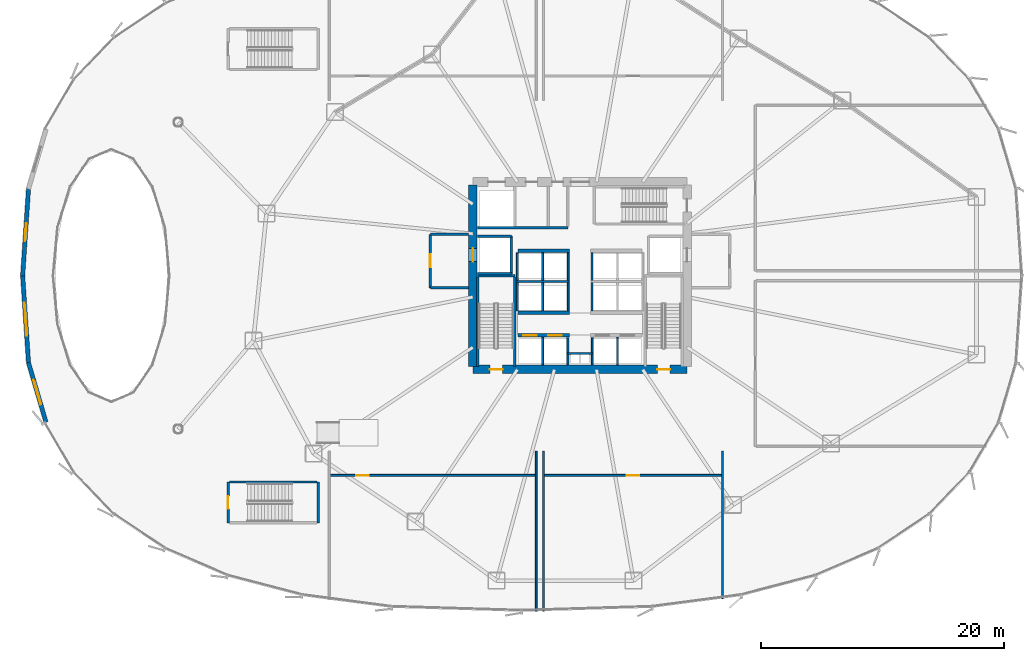
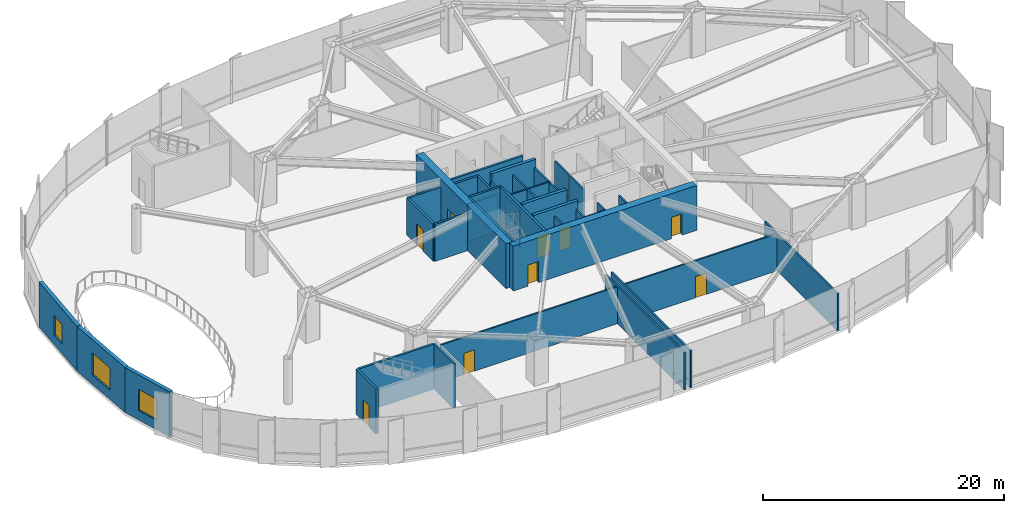
# One storey, part 24 of 34: 40 walls, 9 doors, 3 windows, 12 openings.
"""IFC4 building model written with IfcOpenShell, lengths in metres."""

import ifcopenshell
import ifcopenshell.guid

model = None  # the IFC model being written
_history = None  # IfcOwnerHistory: only IFC2X3 demands one
_inside = {}  # id of a spatial element -> (the spatial element, [elements in it])
_under = {}  # id of a project, library or spatial element -> (it, [spatial elements below it])
_declared = {}  # id of a project -> (the project, [libraries it declares])
_typed = {}  # id of a type object -> (the type object, [elements of that type])
_made_of = {}  # id of a material, layer set ... -> (it, [elements and type objects made of it])


def new_model(schema):
    """Start an empty IFC model of exactly this schema.

    Asked for "IFC4X3", IfcOpenShell would pick the latest addendum, in which some entities
    have other attributes; the version numbers below select the first issue.
    IFC2X3 requires an IfcOwnerHistory on every rooted entity: one is made here for all.
    """
    global model, _history
    if schema == "IFC4X3":
        model = ifcopenshell.file(schema_version=(4, 3, 0, 0))
    else:
        model = ifcopenshell.file(schema=schema)
    _inside.clear()
    _under.clear()
    _declared.clear()
    _typed.clear()
    _made_of.clear()
    _history = None
    if model.schema == "IFC2X3":
        org = make("IfcOrganization", Name="unknown")
        user = make(
            "IfcPersonAndOrganization",
            ThePerson=make("IfcPerson", FamilyName="unknown"),
            TheOrganization=org,
        )
        app = make(
            "IfcApplication",
            ApplicationDeveloper=org,
            Version="unknown",
            ApplicationFullName="unknown",
            ApplicationIdentifier="unknown",
        )
        _history = make(
            "IfcOwnerHistory",
            OwningUser=user,
            OwningApplication=app,
            ChangeAction="ADDED",
            CreationDate=0,
        )
    return model


def make(cls, **values):
    """One entity of the class cls with the attributes given. An attribute that is None is left unset."""
    return model.create_entity(
        cls, **{name: value for name, value in values.items() if value is not None}
    )


def rooted(cls, **values):
    """An entity with a GlobalId (a new one), such as an element, a storey or a relation."""
    return make(cls, GlobalId=ifcopenshell.guid.new(), OwnerHistory=_history, **values)


def si_unit(unit_type, name, prefix=None):
    """IfcSIUnit, for example si_unit("LENGTHUNIT", "METRE", prefix="MILLI")."""
    return make("IfcSIUnit", UnitType=unit_type, Prefix=prefix, Name=name)


def assignment(units):
    """IfcUnitAssignment: the units of a project."""
    return None if units is None else make("IfcUnitAssignment", Units=units)


def point(xyz):
    """IfcCartesianPoint."""
    return None if xyz is None else make("IfcCartesianPoint", Coordinates=xyz)


def direction(xyz):
    """IfcDirection."""
    return None if xyz is None else make("IfcDirection", DirectionRatios=xyz)


def frame(location, z_axis=None, x_axis=None):
    """IfcAxis2Placement3D, a coordinate frame: its origin and axes. An axis left out is left unset."""
    return make(
        "IfcAxis2Placement3D",
        Location=point(location),
        Axis=direction(z_axis),
        RefDirection=direction(x_axis),
    )


def frame_2d(location, x_axis=None):
    """IfcAxis2Placement2D, a coordinate frame in the plane: its origin and x axis."""
    return make(
        "IfcAxis2Placement2D", Location=point(location), RefDirection=direction(x_axis)
    )


def origin():
    """The frame at (0, 0, 0) with its axes left unset."""
    return frame((0.0, 0.0, 0.0))


def place(relative_to, where):
    """IfcLocalPlacement: puts the frame where relative to a parent placement (None: the world)."""
    return make(
        "IfcLocalPlacement", PlacementRelTo=relative_to, RelativePlacement=where
    )


def context(
    kind, dimensions, precision=None, world=None, true_north=None, identifier=None
):
    """IfcGeometricRepresentationContext, for example the 3D "Model" context."""
    return make(
        "IfcGeometricRepresentationContext",
        ContextIdentifier=identifier,
        ContextType=kind,
        CoordinateSpaceDimension=dimensions,
        Precision=precision,
        WorldCoordinateSystem=world,
        TrueNorth=true_north,
    )


def subcontext(parent, identifier, kind, view, scale=None):
    """IfcGeometricRepresentationSubContext, for example "Body" below "Model"."""
    return make(
        "IfcGeometricRepresentationSubContext",
        ContextIdentifier=identifier,
        ContextType=kind,
        ParentContext=parent,
        TargetScale=scale,
        TargetView=view,
    )


def project(units=None, contexts=None):
    """IfcProject with its units and contexts."""
    return rooted(
        "IfcProject",
        Name="project",
        RepresentationContexts=contexts,
        UnitsInContext=assignment(units),
    )


def spatial(cls, under=None, at=None, **own):
    """A site, building, storey or space (cls), placed at a placement, below another one or the project."""
    s = rooted(cls, ObjectPlacement=at, **own)
    if under is not None:
        _under.setdefault(under.id(), (under, []))[1].append(s)
    return s


def profile(cls, at=None, kind="AREA", **sizes):
    """A parametric profile (cls). Its sizes go by their IFC names, for example OverallWidth=200.0."""
    return make(cls, ProfileType=kind, Position=at, **sizes)


def rectangle(**sizes):
    """IfcRectangleProfileDef."""
    return profile("IfcRectangleProfileDef", **sizes)


def extrude(swept, where, along, depth):
    """IfcExtrudedAreaSolid: the profile swept, set in the frame where, extruded along a direction by depth."""
    return make(
        "IfcExtrudedAreaSolid",
        SweptArea=swept,
        Position=where,
        ExtrudedDirection=direction(along),
        Depth=depth,
    )


def shape(context_of_items, identifier, shape_type, items):
    """IfcShapeRepresentation: the items that make up one representation, for example the "Body"."""
    return make(
        "IfcShapeRepresentation",
        ContextOfItems=context_of_items,
        RepresentationIdentifier=identifier,
        RepresentationType=shape_type,
        Items=items,
    )


def source(mapping_origin, context_of_items, identifier, shape_type, items):
    """IfcRepresentationMap: a shape defined once, which mapped items show again and again."""
    return make(
        "IfcRepresentationMap",
        MappingOrigin=mapping_origin,
        MappedRepresentation=shape(context_of_items, identifier, shape_type, items),
    )


def transform(
    local_origin,
    x_axis=None,
    y_axis=None,
    z_axis=None,
    scale=None,
    scale2=None,
    scale3=None,
    uniform=True,
):
    """IfcCartesianTransformationOperator3D, or its non-uniform kind. x_axis, y_axis, z_axis: its Axis1, 2, 3."""
    if uniform:
        return make(
            "IfcCartesianTransformationOperator3D",
            Axis1=direction(x_axis),
            Axis2=direction(y_axis),
            LocalOrigin=point(local_origin),
            Scale=scale,
            Axis3=direction(z_axis),
        )
    return make(
        "IfcCartesianTransformationOperator3DnonUniform",
        Axis1=direction(x_axis),
        Axis2=direction(y_axis),
        LocalOrigin=point(local_origin),
        Scale=scale,
        Axis3=direction(z_axis),
        Scale2=scale2,
        Scale3=scale3,
    )


def mapped(mapping_source, mapping_target):
    """IfcMappedItem: shows the shape of a source again, moved by a transform."""
    return make(
        "IfcMappedItem", MappingSource=mapping_source, MappingTarget=mapping_target
    )


def material(Name=None, Category=None):
    """IfcMaterial."""
    return make("IfcMaterial", Name=Name, Category=Category)


def layer(
    of_material, thickness, ventilated=None, Name=None, Category=None, Priority=None
):
    """IfcMaterialLayer: one layer of a wall or slab, of a material (None: an air gap)."""
    return make(
        "IfcMaterialLayer",
        Material=of_material,
        LayerThickness=thickness,
        IsVentilated=ventilated,
        Name=Name,
        Category=Category,
        Priority=Priority,
    )


def layer_set(layers, Name=None):
    """IfcMaterialLayerSet."""
    return make("IfcMaterialLayerSet", MaterialLayers=layers, LayerSetName=Name)


def made_of(thing, what):
    """Note that an element or type object is made of a material, layer set ...; save() writes the relation."""
    if what is not None:
        _made_of.setdefault(what.id(), (what, []))[1].append(thing)
    return thing


def type_object(cls, material=None, **own):
    """A type object (cls), such as IfcWallType, which elements share."""
    return made_of(rooted(cls, **own), material)


def element(
    cls,
    number,
    at=None,
    inside=None,
    cuts=None,
    type_object=None,
    material=None,
    context=None,
    identifier="Body",
    shape_type=None,
    held_by="IfcProductDefinitionShape",
    body=None,
    shapes=None,
    **own,
):
    """One element of the class cls, such as IfcWall. Its Tag is "e" and its number.

    at: its placement. inside: the storey or other place that contains it. cuts: it is an
    opening in that element (IfcRelVoidsElement). A single representation is given by context,
    identifier, shape_type and body (its items); several are given by shapes. held_by: the class
    of the entity that holds the representations. save() writes the other relations.
    """
    e = rooted(cls, Tag="e%d" % number, ObjectPlacement=at, **own)
    if body is not None:
        shapes = [shape(context, identifier, shape_type, body)]
    if shapes is not None:
        e.Representation = make(held_by, Representations=shapes)
    if inside is not None:
        _inside.setdefault(inside.id(), (inside, []))[1].append(e)
    if cuts is not None:
        rooted(
            "IfcRelVoidsElement", RelatingBuildingElement=cuts, RelatedOpeningElement=e
        )
    if type_object is not None:
        _typed.setdefault(type_object.id(), (type_object, []))[1].append(e)
    return made_of(e, material)


def fill(opening, filler):
    """IfcRelFillsElement: the door or window that sits in an opening."""
    return rooted(
        "IfcRelFillsElement",
        RelatingOpeningElement=opening,
        RelatedBuildingElement=filler,
    )


def aggregate(whole, parts):
    """IfcRelAggregates: a whole, such as a stair, and the parts it consists of."""
    return rooted("IfcRelAggregates", RelatingObject=whole, RelatedObjects=parts)


def save(model, path):
    """Write the relations noted so far, then the file.

    IfcRelAggregates (storeys below a building ...), IfcRelContainedInSpatialStructure (elements
    in a storey), IfcRelDefinesByType, IfcRelAssociatesMaterial and IfcRelDeclares: one each for
    every whole, place, type object, material and project.
    """
    for whole, parts in _under.values():
        aggregate(whole, parts)
    for where, things in _inside.values():
        rooted(
            "IfcRelContainedInSpatialStructure",
            RelatedElements=things,
            RelatingStructure=where,
        )
    for kind, things in _typed.values():
        rooted("IfcRelDefinesByType", RelatedObjects=things, RelatingType=kind)
    for what, things in _made_of.values():
        rooted("IfcRelAssociatesMaterial", RelatedObjects=things, RelatingMaterial=what)
    for by, libraries in _declared.values():
        rooted("IfcRelDeclares", RelatingContext=by, RelatedDefinitions=libraries)
    model.write(path)


model = new_model("IFC4")

# Units and contexts
model_context = context("Model", 3, precision=1e-05, world=origin(), true_north=direction((0.0, 1.0)))
body_context = subcontext(model_context, "Body", "Model", "MODEL_VIEW")
ifc_project = project(units=[si_unit("LENGTHUNIT", "METRE"), si_unit("AREAUNIT", "SQUARE_METRE"), si_unit("VOLUMEUNIT", "CUBIC_METRE"), si_unit("PLANEANGLEUNIT", "RADIAN"), si_unit("MASSUNIT", "GRAM", prefix="KILO"), si_unit("THERMODYNAMICTEMPERATUREUNIT", "KELVIN")], contexts=[model_context])

# Site, building, storey
site_placement = place(None, origin())
site = spatial("IfcSite", under=ifc_project, at=site_placement, CompositionType="ELEMENT")
building_placement = place(site_placement, origin())
building = spatial("IfcBuilding", under=site, at=building_placement, Name="Kethvar Cultural Tower", CompositionType="ELEMENT")
storey_placement = place(building_placement, frame((0.0, 0.0, 5.199951171875)))
storey = spatial("IfcBuildingStorey", under=building, at=storey_placement, Name="L01", CompositionType="ELEMENT", Elevation=5.199951171875)

# Wall, openings, doors
ifc_material_1 = material(Name="Concrete C60/75", Category="concrete")
ifc_layer_1 = layer(ifc_material_1, 0.699951171875, Name="Concrete C60/75", Category="concrete")
ifc_layer_set_1 = layer_set([ifc_layer_1], Name="Concrete C60/75 (700 mm)")
wall_type_1 = type_object("IfcWallType", Name="WL-CORE-700", PredefinedType="SHEAR", material=ifc_layer_set_1)
wall_1_placement = place(storey_placement, frame((38.0, 20.10009765625, 0.0), z_axis=(0.0, 0.0, 1.0), x_axis=(1.0, 0.0, 0.0)))
wall_1 = element("IfcWall", 1, at=wall_1_placement, inside=storey, type_object=wall_type_1, Name="L01 Core Shear Wall S", PredefinedType="SHEAR", context=body_context, shape_type="SweptSolid", body=[
    extrude(rectangle(XDim=17.60009765625, YDim=0.699951171875, at=frame_2d((8.800048828125, 0.0))), origin(), (0.0, 0.0, 1.0), 4.550048828125),
])
opening_1_placement = place(wall_1_placement, frame((1.39990234375, 0.0, 0.0)))
opening_1 = element("IfcOpeningElement", 2, at=opening_1_placement, cuts=wall_1, Name="Opening D-L01-S1", PredefinedType="OPENING", context=body_context, shape_type="SweptSolid", body=[
    extrude(rectangle(XDim=1.050048828125, YDim=2.14990234375, at=frame_2d((0.52490234375, 1.074951171875))), frame((0.0, 0.35986328125, 0.0), z_axis=(0.0, -1.0, 0.0), x_axis=(1.0, 0.0, 0.0)), (0.0, 0.0, 1.0), 0.719970703125),
])
opening_2_placement = place(wall_1_placement, frame((15.14990234375, 0.0, 0.0)))
opening_2 = element("IfcOpeningElement", 3, at=opening_2_placement, cuts=wall_1, Name="Opening D-L01-ST2", PredefinedType="OPENING", context=body_context, shape_type="SweptSolid", body=[
    extrude(rectangle(XDim=1.050048828125, YDim=2.14990234375, at=frame_2d((0.52490234375, 1.074951171875))), frame((0.0, 0.35986328125, 0.0), z_axis=(0.0, -1.0, 0.0), x_axis=(1.0, 0.0, 0.0)), (0.0, 0.0, 1.0), 0.719970703125),
])
ifc_material_2 = material(Name="Steel S355J2", Category="steel")
door_type_1 = type_object("IfcDoorType", Name="DR-FD60-1050", OperationType="NOTDEFINED", PredefinedType="DOOR", material=ifc_material_2)
shared_shape_1 = source(origin(), body_context, "Body", "SweptSolid", [
    extrude(rectangle(XDim=1.050048828125, YDim=2.14990234375, at=frame_2d((0.52490234375, 1.074951171875))), frame((0.0, 0.02490234375, 0.0), z_axis=(0.0, -1.0, 0.0), x_axis=(1.0, 0.0, 0.0)), (0.0, 0.0, 1.0), 0.050048828125),
])
door_1_placement = place(opening_1_placement, origin())
door_1 = element("IfcDoor", 4, at=door_1_placement, inside=storey, type_object=door_type_1, Name="L01 Exit Stair 1 Door", OperationType="SINGLE_SWING_LEFT", OverallHeight=2.14990234375, OverallWidth=1.050048828125, PredefinedType="DOOR", context=body_context, shape_type="MappedRepresentation", body=[
    mapped(shared_shape_1, transform((0.0, 0.0, 0.0), scale=1.0)),
])
fill(opening_1, door_1)
door_2_placement = place(opening_2_placement, origin())
door_2 = element("IfcDoor", 5, at=door_2_placement, inside=storey, type_object=door_type_1, Name="L01 Exit Stair 2 Door", OperationType="SINGLE_SWING_RIGHT", OverallHeight=2.14990234375, OverallWidth=1.050048828125, PredefinedType="DOOR", context=body_context, shape_type="MappedRepresentation", body=[
    mapped(shared_shape_1, transform((0.0, 0.0, 0.0), scale=1.0)),
])
fill(opening_2, door_2)

# Wall, opening, door
wall_2_placement = place(storey_placement, frame((38.0, 35.260009765625, 0.0), z_axis=(0.0, 0.0, 1.0), x_axis=(0.0, -1.0, 0.0)))
wall_2 = element("IfcWall", 6, at=wall_2_placement, inside=storey, type_object=wall_type_1, Name="L01 Core Shear Wall W", PredefinedType="SHEAR", context=body_context, shape_type="SweptSolid", body=[
    extrude(rectangle(XDim=14.919921875, YDim=0.699951171875, at=frame_2d((7.4599609375, 0.0))), origin(), (0.0, 0.0, 1.0), 4.550048828125),
])
opening_3_placement = place(wall_2_placement, frame((5.2099609375, 0.0, 0.0)))
opening_3 = element("IfcOpeningElement", 7, at=opening_3_placement, cuts=wall_2, Name="Opening LD-1", PredefinedType="OPENING", context=body_context, shape_type="SweptSolid", body=[
    extrude(rectangle(XDim=1.10009765625, YDim=2.199951171875, at=frame_2d((0.550048828125, 1.10009765625))), frame((0.0, 0.35986328125, 0.0), z_axis=(0.0, -1.0, 0.0), x_axis=(1.0, 0.0, 0.0)), (0.0, 0.0, 1.0), 0.719970703125),
])
door_type_2 = type_object("IfcDoorType", Name="DR-LIFT-SLIDE-1100", OperationType="NOTDEFINED", PredefinedType="DOOR", material=ifc_material_2)
shared_shape_2 = source(origin(), body_context, "Body", "SweptSolid", [
    extrude(rectangle(XDim=1.10009765625, YDim=2.199951171875, at=frame_2d((0.550048828125, 1.10009765625))), frame((0.0, 0.02490234375, 0.0), z_axis=(0.0, -1.0, 0.0), x_axis=(1.0, 0.0, 0.0)), (0.0, 0.0, 1.0), 0.050048828125),
])
door_3_placement = place(opening_3_placement, origin())
door_3 = element("IfcDoor", 8, at=door_3_placement, inside=storey, type_object=door_type_2, Name="L01 Firefighting Lift Landing Door FFL-01", OperationType="SLIDING_TO_LEFT", OverallHeight=2.199951171875, OverallWidth=1.10009765625, PredefinedType="DOOR", context=body_context, shape_type="MappedRepresentation", body=[
    mapped(shared_shape_2, transform((0.0, 0.0, 0.0), scale=1.0)),
])
fill(opening_3, door_3)

# Wall, opening, window
ifc_material_3 = material(Name="Concrete C40/50", Category="concrete")
ifc_layer_2 = layer(ifc_material_3, 0.35009765625, Name="Concrete C40/50", Category="concrete")
ifc_layer_set_2 = layer_set([ifc_layer_2], Name="Concrete C40/50 (350 mm)")
wall_type_2 = type_object("IfcWallType", Name="WL-EXT-PORTAL-350", PredefinedType="SOLIDWALL", material=ifc_layer_set_2)
wall_3_placement = place(storey_placement, frame((1.01953125, 27.785400390625, 0.0), z_axis=(0.0, 0.0, 1.0), x_axis=(0.067018998283, 0.997751699507, 0.0)))
wall_3 = element("IfcWall", 9, at=wall_3_placement, inside=storey, type_object=wall_type_2, Name="L01 Exterior Portal Wall 18", PredefinedType="SOLIDWALL", context=body_context, shape_type="SweptSolid", body=[
    extrude(rectangle(XDim=7.194580078125, YDim=0.35009765625, at=frame_2d((3.59716796875, 0.0))), origin(), (0.0, 0.0, 1.0), 4.550048828125),
])
opening_4_placement = place(wall_3_placement, frame((2.847412109375, 0.0, 0.949951171875)))
opening_4 = element("IfcOpeningElement", 10, at=opening_4_placement, cuts=wall_3, Name="Opening W-03", PredefinedType="OPENING", context=body_context, shape_type="SweptSolid", body=[
    extrude(rectangle(XDim=1.5, YDim=2.0, at=frame_2d((0.75, 1.0))), frame((0.0, 0.18505859375, 0.0), z_axis=(0.0, -1.0, 0.0), x_axis=(1.0, 0.0, 0.0)), (0.0, 0.0, 1.0), 0.3701171875),
])
ifc_material_4 = material(Name="Insulated Low-E Solar Glass", Category="glass")
window_type_1 = type_object("IfcWindowType", Name="WN-POD-1500", PartitioningType="SINGLE_PANEL", PredefinedType="WINDOW", material=ifc_material_4)
shared_shape_3 = source(origin(), body_context, "Body", "SweptSolid", [
    extrude(rectangle(XDim=1.5, YDim=2.0, at=frame_2d((0.75, 1.0))), frame((0.0, 0.030029296875, 0.0), z_axis=(0.0, -1.0, 0.0), x_axis=(1.0, 0.0, 0.0)), (0.0, 0.0, 1.0), 0.06005859375),
])
window_1_placement = place(opening_4_placement, origin())
window_1 = element("IfcWindow", 11, at=window_1_placement, inside=storey, type_object=window_type_1, Name="L01 Podium Window C17", OverallHeight=2.0, OverallWidth=1.5, PartitioningType="SINGLE_PANEL", PredefinedType="WINDOW", context=body_context, shape_type="MappedRepresentation", body=[
    mapped(shared_shape_3, transform((0.0, 0.0, 0.0), scale=1.0)),
])
fill(opening_4, window_1)

wall_4_placement = place(storey_placement, frame((1.501708984375, 20.635986328125, 0.0), z_axis=(0.0, 0.0, 1.0), x_axis=(-0.067016729273, 0.997751851914, 0.0)))
wall_4 = element("IfcWall", 12, at=wall_4_placement, inside=storey, type_object=wall_type_2, Name="L01 Exterior Portal Wall 19", PredefinedType="SOLIDWALL", context=body_context, shape_type="SweptSolid", body=[
    extrude(rectangle(XDim=7.19482421875, YDim=0.35009765625, at=frame_2d((3.597412109375, 0.0))), origin(), (0.0, 0.0, 1.0), 4.550048828125),
])
opening_5_placement = place(wall_4_placement, frame((2.247314453125, 0.0, 0.949951171875)))
opening_5 = element("IfcOpeningElement", 13, at=opening_5_placement, cuts=wall_4, Name="Opening W-01", PredefinedType="OPENING", context=body_context, shape_type="SweptSolid", body=[
    extrude(rectangle(XDim=2.699951171875, YDim=2.25, at=frame_2d((1.35009765625, 1.125))), frame((0.0, 0.18505859375, 0.0), z_axis=(0.0, -1.0, 0.0), x_axis=(1.0, 0.0, 0.0)), (0.0, 0.0, 1.0), 0.3701171875),
])
window_type_2 = type_object("IfcWindowType", Name="WN-POD-2700", PartitioningType="SINGLE_PANEL", PredefinedType="WINDOW", material=ifc_material_4)
shared_shape_4 = source(origin(), body_context, "Body", "SweptSolid", [
    extrude(rectangle(XDim=2.699951171875, YDim=2.25, at=frame_2d((1.35009765625, 1.125))), frame((0.0, 0.030029296875, 0.0), z_axis=(0.0, -1.0, 0.0), x_axis=(1.0, 0.0, 0.0)), (0.0, 0.0, 1.0), 0.06005859375),
])
window_2_placement = place(opening_5_placement, origin())
window_2 = element("IfcWindow", 14, at=window_2_placement, inside=storey, type_object=window_type_2, Name="L01 Podium Window C18", OverallHeight=2.25, OverallWidth=2.699951171875, PartitioningType="SINGLE_PANEL", PredefinedType="WINDOW", context=body_context, shape_type="MappedRepresentation", body=[
    mapped(shared_shape_4, transform((0.0, 0.0, 0.0), scale=1.0)),
])
fill(opening_5, window_2)

wall_5_placement = place(storey_placement, frame((2.93603515625, 15.770263671875, 0.0), z_axis=(0.0, 0.0, 1.0), x_axis=(-0.281735210535, 0.959492194416, 0.0)))
wall_5 = element("IfcWall", 15, at=wall_5_placement, inside=storey, type_object=wall_type_2, Name="L01 Exterior Portal Wall 20", PredefinedType="SOLIDWALL", context=body_context, shape_type="SweptSolid", body=[
    extrude(rectangle(XDim=5.12060546875, YDim=0.35009765625, at=frame_2d((2.560302734375, 0.0))), origin(), (0.0, 0.0, 1.0), 4.550048828125),
])
opening_6_placement = place(wall_5_placement, frame((1.51025390625, 0.0, 0.949951171875)))
opening_6 = element("IfcOpeningElement", 16, at=opening_6_placement, cuts=wall_5, Name="Opening W-02", PredefinedType="OPENING", context=body_context, shape_type="SweptSolid", body=[
    extrude(rectangle(XDim=2.10009765625, YDim=2.14990234375, at=frame_2d((1.050048828125, 1.074951171875))), frame((0.0, 0.18505859375, 0.0), z_axis=(0.0, -1.0, 0.0), x_axis=(1.0, 0.0, 0.0)), (0.0, 0.0, 1.0), 0.3701171875),
])
window_type_3 = type_object("IfcWindowType", Name="WN-POD-2100", PartitioningType="SINGLE_PANEL", PredefinedType="WINDOW", material=ifc_material_4)
shared_shape_5 = source(origin(), body_context, "Body", "SweptSolid", [
    extrude(rectangle(XDim=2.10009765625, YDim=2.14990234375, at=frame_2d((1.050048828125, 1.074951171875))), frame((0.0, 0.030029296875, 0.0), z_axis=(0.0, -1.0, 0.0), x_axis=(1.0, 0.0, 0.0)), (0.0, 0.0, 1.0), 0.06005859375),
])
window_3_placement = place(opening_6_placement, origin())
window_3 = element("IfcWindow", 17, at=window_3_placement, inside=storey, type_object=window_type_3, Name="L01 Podium Window C19", OverallHeight=2.14990234375, OverallWidth=2.10009765625, PartitioningType="SINGLE_PANEL", PredefinedType="WINDOW", context=body_context, shape_type="MappedRepresentation", body=[
    mapped(shared_shape_5, transform((0.0, 0.0, 0.0), scale=1.0)),
])
fill(opening_6, window_3)

# Walls
ifc_material_5 = material(Name="Gypsum Fireboard Partition")
ifc_layer_3 = layer(ifc_material_5, 0.14990234375, Name="Gypsum Fireboard Partition")
ifc_layer_set_3 = layer_set([ifc_layer_3], Name="Gypsum Fireboard Partition (150 mm)")
wall_type_3 = type_object("IfcWallType", Name="WL-FIRE-150", PredefinedType="PARTITIONING", material=ifc_layer_set_3)
wall_6_placement = place(storey_placement, frame((45.800048828125, 21.419921875, 0.0), z_axis=(0.0, 0.0, 1.0), x_axis=(1.0, 0.0, 0.0)))
element("IfcWall", 18, at=wall_6_placement, inside=storey, type_object=wall_type_3, Name="L01 Core Riser Wall", PredefinedType="PARTITIONING", context=body_context, shape_type="SweptSolid", body=[
    extrude(rectangle(XDim=2.0, YDim=0.14990234375, at=frame_2d((1.0, 0.0))), origin(), (0.0, 0.0, 1.0), 3.762939453125),
])
for number, where, z_axis, x_axis, name in (
    (19, (45.800048828125, 20.47998046875, 0.0), (0.0, 0.0, 1.0), (0.0, 1.0, 0.0), "L01 Core Riser West Wall"),
    (20, (47.800048828125, 20.47998046875, 0.0), (0.0, 0.0, 1.0), (0.0, 1.0, 0.0), "L01 Core Riser East Wall"),
):
    element("IfcWall", number, at=place(storey_placement, frame(where, z_axis=z_axis, x_axis=x_axis)), inside=storey, type_object=wall_type_3, Name=name, PredefinedType="PARTITIONING", context=body_context, shape_type="SweptSolid", body=[
        extrude(rectangle(XDim=2.239990234375, YDim=0.14990234375, at=frame_2d((1.1201171875, 0.0))), origin(), (0.0, 0.0, 1.0), 3.762939453125),
    ])
for number, where, z_axis, x_axis, name in (
    (21, (43.72509765625, 20.4599609375, 0.0), (0.0, 0.0, 1.0), (0.0, 1.0, 0.0), "L01 Low-Rise Lift Shaft Divider W"),
    (22, (49.875, 20.4599609375, 0.0), (0.0, 0.0, 1.0), (0.0, 1.0, 0.0), "L01 Low-Rise Lift Shaft Divider E"),
):
    element("IfcWall", number, at=place(storey_placement, frame(where, z_axis=z_axis, x_axis=x_axis)), inside=storey, type_object=wall_type_3, Name=name, PredefinedType="PARTITIONING", context=body_context, shape_type="SweptSolid", body=[
        extrude(rectangle(XDim=2.27001953125, YDim=0.14990234375, at=frame_2d((1.135009765625, 0.0))), origin(), (0.0, 0.0, 1.0), 3.762939453125),
    ])
wall_7_placement = place(storey_placement, frame((41.580078125, 27.324951171875, 0.0), z_axis=(0.0, 0.0, 1.0), x_axis=(1.0, 0.0, 0.0)))
element("IfcWall", 23, at=wall_7_placement, inside=storey, type_object=wall_type_3, Name="L01 Mid-High Lift Shaft Back Wall W", PredefinedType="PARTITIONING", context=body_context, shape_type="SweptSolid", body=[
    extrude(rectangle(XDim=4.31982421875, YDim=0.14990234375, at=frame_2d((2.159912109375, 0.0))), origin(), (0.0, 0.0, 1.0), 3.762939453125),
])
for number, where, z_axis, x_axis, name in (
    (24, (41.64990234375, 24.919921875, 0.0), (0.0, 0.0, 1.0), (0.0, 1.0, 0.0), "L01 Mid-Rise Lift Shaft Outer Wall W"),
    (25, (43.72509765625, 24.919921875, 0.0), (0.0, 0.0, 1.0), (0.0, 1.0, 0.0), "L01 Mid-Rise Lift Shaft Divider W"),
    (26, (45.824951171875, 24.919921875, 0.0), (0.0, 0.0, 1.0), (0.0, 1.0, 0.0), "L01 Mid-Rise Lift Shaft Concourse Wall W"),
    (27, (47.77490234375, 24.919921875, 0.0), (0.0, 0.0, 1.0), (0.0, 1.0, 0.0), "L01 Mid-Rise Lift Shaft Concourse Wall E"),
):
    element("IfcWall", number, at=place(storey_placement, frame(where, z_axis=z_axis, x_axis=x_axis)), inside=storey, type_object=wall_type_3, Name=name, PredefinedType="PARTITIONING", context=body_context, shape_type="SweptSolid", body=[
        extrude(rectangle(XDim=2.320068359375, YDim=0.14990234375, at=frame_2d((1.16015625, 0.0))), origin(), (0.0, 0.0, 1.0), 3.762939453125),
    ])
for number, where, z_axis, x_axis, name in (
    (28, (41.64990234375, 27.409912109375, 0.0), (0.0, 0.0, 1.0), (0.0, 1.0, 0.0), "L01 High-Rise Lift Shaft Outer Wall W"),
    (29, (43.72509765625, 27.409912109375, 0.0), (0.0, 0.0, 1.0), (0.0, 1.0, 0.0), "L01 High-Rise Lift Shaft Divider W"),
    (30, (45.824951171875, 27.409912109375, 0.0), (0.0, 0.0, 1.0), (0.0, 1.0, 0.0), "L01 High-Rise Lift Shaft Concourse Wall W"),
    (31, (47.77490234375, 27.409912109375, 0.0), (0.0, 0.0, 1.0), (0.0, 1.0, 0.0), "L01 High-Rise Lift Shaft Concourse Wall E"),
):
    element("IfcWall", number, at=place(storey_placement, frame(where, z_axis=z_axis, x_axis=x_axis)), inside=storey, type_object=wall_type_3, Name=name, PredefinedType="PARTITIONING", context=body_context, shape_type="SweptSolid", body=[
        extrude(rectangle(XDim=2.27001953125, YDim=0.14990234375, at=frame_2d((1.135009765625, 0.0))), origin(), (0.0, 0.0, 1.0), 3.762939453125),
    ])

# Wall, opening, door
wall_8_placement = place(storey_placement, frame((26.199951171875, 11.39990234375, 0.0), z_axis=(0.0, 0.0, 1.0), x_axis=(1.0, 0.0, 0.0)))
wall_8 = element("IfcWall", 32, at=wall_8_placement, inside=storey, type_object=wall_type_3, Name="L01 South Contemporary Gallery Wall", PredefinedType="PARTITIONING", context=body_context, shape_type="SweptSolid", body=[
    extrude(rectangle(XDim=17.0, YDim=0.14990234375, at=frame_2d((8.5, 0.0))), origin(), (0.0, 0.0, 1.0), 3.762939453125),
])
opening_7_placement = place(wall_8_placement, frame((2.199951171875, 0.0, 0.0)))
opening_7 = element("IfcOpeningElement", 33, at=opening_7_placement, cuts=wall_8, Name="Opening D-L01-P1", PredefinedType="OPENING", context=body_context, shape_type="SweptSolid", body=[
    extrude(rectangle(XDim=1.050048828125, YDim=2.14990234375, at=frame_2d((0.52490234375, 1.074951171875))), frame((0.0, 0.0849609375, 0.0), z_axis=(0.0, -1.0, 0.0), x_axis=(1.0, 0.0, 0.0)), (0.0, 0.0, 1.0), 0.169921875),
])
door_4_placement = place(opening_7_placement, origin())
door_4 = element("IfcDoor", 34, at=door_4_placement, inside=storey, type_object=door_type_1, Name="L01 South Contemporary Gallery Door", OperationType="SINGLE_SWING_LEFT", OverallHeight=2.14990234375, OverallWidth=1.050048828125, PredefinedType="DOOR", context=body_context, shape_type="MappedRepresentation", body=[
    mapped(shared_shape_1, transform((0.0, 0.0, 0.0), scale=1.0)),
])
fill(opening_7, door_4)

wall_9_placement = place(storey_placement, frame((43.800048828125, 11.39990234375, 0.0), z_axis=(0.0, 0.0, 1.0), x_axis=(1.0, 0.0, 0.0)))
wall_9 = element("IfcWall", 35, at=wall_9_placement, inside=storey, type_object=wall_type_3, Name="L01 Southeast Sculpture Hall Wall", PredefinedType="PARTITIONING", context=body_context, shape_type="SweptSolid", body=[
    extrude(rectangle(XDim=14.699951171875, YDim=0.14990234375, at=frame_2d((7.35009765625, 0.0))), origin(), (0.0, 0.0, 1.0), 3.762939453125),
])
opening_8_placement = place(wall_9_placement, frame((6.824951171875, 0.0, 0.0)))
opening_8 = element("IfcOpeningElement", 36, at=opening_8_placement, cuts=wall_9, Name="Opening D-L01-P2", PredefinedType="OPENING", context=body_context, shape_type="SweptSolid", body=[
    extrude(rectangle(XDim=1.050048828125, YDim=2.14990234375, at=frame_2d((0.52490234375, 1.074951171875))), frame((0.0, 0.0849609375, 0.0), z_axis=(0.0, -1.0, 0.0), x_axis=(1.0, 0.0, 0.0)), (0.0, 0.0, 1.0), 0.169921875),
])
door_5_placement = place(opening_8_placement, origin())
door_5 = element("IfcDoor", 37, at=door_5_placement, inside=storey, type_object=door_type_1, Name="L01 Southeast Sculpture Hall Door", OperationType="SINGLE_SWING_LEFT", OverallHeight=2.14990234375, OverallWidth=1.050048828125, PredefinedType="DOOR", context=body_context, shape_type="MappedRepresentation", body=[
    mapped(shared_shape_1, transform((0.0, 0.0, 0.0), scale=1.0)),
])
fill(opening_8, door_5)

# Walls
ifc_layer_4 = layer(ifc_material_3, 0.199951171875, Name="Concrete C40/50", Category="concrete")
ifc_layer_set_4 = layer_set([ifc_layer_4], Name="Concrete C40/50 (200 mm)")
wall_type_4 = type_object("IfcWallType", Name="WL-FIRE-200", PredefinedType="PARTITIONING", material=ifc_layer_set_4)
wall_10_placement = place(storey_placement, frame((41.14990234375, 27.949951171875, 0.0), z_axis=(0.0, 0.0, 1.0), x_axis=(0.0, 1.0, 0.0)))
element("IfcWall", 38, at=wall_10_placement, inside=storey, type_object=wall_type_4, Name="L01 FFL-01 Shaft Inner Wall", PredefinedType="PARTITIONING", context=body_context, shape_type="SweptSolid", body=[
    extrude(rectangle(XDim=3.10009765625, YDim=0.199951171875, at=frame_2d((1.550048828125, 0.0))), origin(), (0.0, 0.0, 1.0), 3.762939453125),
])
for number, where, z_axis, x_axis, name in (
    (39, (38.360107421875, 27.949951171875, 0.0), (0.0, 0.0, 1.0), (1.0, 0.0, 0.0), "L01 FFL-01 Shaft South Wall"),
    (40, (38.360107421875, 31.050048828125, 0.0), (0.0, 0.0, 1.0), (1.0, 0.0, 0.0), "L01 FFL-01 Shaft North Wall"),
):
    element("IfcWall", number, at=place(storey_placement, frame(where, z_axis=z_axis, x_axis=x_axis)), inside=storey, type_object=wall_type_4, Name=name, PredefinedType="PARTITIONING", context=body_context, shape_type="SweptSolid", body=[
        extrude(rectangle(XDim=2.789794921875, YDim=0.199951171875, at=frame_2d((1.39501953125, 0.0))), origin(), (0.0, 0.0, 1.0), 3.762939453125),
    ])

# Wall, opening, door
wall_11_placement = place(storey_placement, frame((34.5, 31.199951171875, 0.0), z_axis=(0.0, 0.0, 1.0), x_axis=(0.0, -1.0, 0.0)))
wall_11 = element("IfcWall", 41, at=wall_11_placement, inside=storey, type_object=wall_type_4, Name="L01 Firefighting Lobby 1 Wall", PredefinedType="PARTITIONING", context=body_context, shape_type="SweptSolid", body=[
    extrude(rectangle(XDim=4.39990234375, YDim=0.199951171875, at=frame_2d((2.199951171875, 0.0))), origin(), (0.0, 0.0, 1.0), 3.762939453125),
])
opening_9_placement = place(wall_11_placement, frame((1.64990234375, 0.0, 0.0)))
opening_9 = element("IfcOpeningElement", 42, at=opening_9_placement, cuts=wall_11, Name="Opening D-L01-F1", PredefinedType="OPENING", context=body_context, shape_type="SweptSolid", body=[
    extrude(rectangle(XDim=1.050048828125, YDim=2.14990234375, at=frame_2d((0.52490234375, 1.074951171875))), frame((0.0, 0.10986328125, 0.0), z_axis=(0.0, -1.0, 0.0), x_axis=(1.0, 0.0, 0.0)), (0.0, 0.0, 1.0), 0.219970703125),
])
door_6_placement = place(opening_9_placement, origin())
door_6 = element("IfcDoor", 43, at=door_6_placement, inside=storey, type_object=door_type_1, Name="L01 Firefighting Lobby 1 Fire Door", OperationType="SINGLE_SWING_LEFT", OverallHeight=2.14990234375, OverallWidth=1.050048828125, PredefinedType="DOOR", context=body_context, shape_type="MappedRepresentation", body=[
    mapped(shared_shape_1, transform((0.0, 0.0, 0.0), scale=1.0)),
])
fill(opening_9, door_6)

# Walls
for number, where, z_axis, x_axis, name in (
    (44, (34.5, 26.800048828125, 0.0), (0.0, 0.0, 1.0), (1.0, 0.0, 0.0), "L01 FF Lobby 1 South Wall"),
    (45, (34.5, 31.199951171875, 0.0), (0.0, 0.0, 1.0), (1.0, 0.0, 0.0), "L01 FF Lobby 1 North Wall"),
):
    element("IfcWall", number, at=place(storey_placement, frame(where, z_axis=z_axis, x_axis=x_axis)), inside=storey, type_object=wall_type_4, Name=name, PredefinedType="PARTITIONING", context=body_context, shape_type="SweptSolid", body=[
        extrude(rectangle(XDim=3.139892578125, YDim=0.199951171875, at=frame_2d((1.56982421875, 0.0))), origin(), (0.0, 0.0, 1.0), 3.762939453125),
    ])
wall_12_placement = place(storey_placement, frame((38.360107421875, 31.72998046875, 0.0), z_axis=(0.0, 0.0, 1.0), x_axis=(1.0, 0.0, 0.0)))
element("IfcWall", 46, at=wall_12_placement, inside=storey, type_object=wall_type_4, Name="L01 North Core Sanitary South Wall", PredefinedType="PARTITIONING", context=body_context, shape_type="SweptSolid", body=[
    extrude(rectangle(XDim=7.43994140625, YDim=0.199951171875, at=frame_2d((3.719970703125, 0.0))), origin(), (0.0, 0.0, 1.0), 3.762939453125),
])
ifc_material_6 = material(Name="Gypsum Acoustic Partition")
ifc_layer_5 = layer(ifc_material_6, 0.14990234375, Name="Gypsum Acoustic Partition")
ifc_layer_set_5 = layer_set([ifc_layer_5], Name="Gypsum Acoustic Partition (150 mm)")
wall_type_5 = type_object("IfcWallType", Name="WL-PART-150", PredefinedType="PARTITIONING", material=ifc_layer_set_5)
wall_13_placement = place(storey_placement, frame((43.199951171875, 0.236083984375, 0.0), z_axis=(0.0, 0.0, 1.0), x_axis=(0.0, 1.0, 0.0)))
element("IfcWall", 47, at=wall_13_placement, inside=storey, type_object=wall_type_5, Name="L01 South Contemporary Gallery Side Wall R", PredefinedType="PARTITIONING", context=body_context, shape_type="SweptSolid", body=[
    extrude(rectangle(XDim=13.163818359375, YDim=0.14990234375, at=frame_2d((6.58203125, 0.0))), origin(), (0.0, 0.0, 1.0), 3.762939453125),
])
wall_14_placement = place(storey_placement, frame((43.800048828125, 0.25439453125, 0.0), z_axis=(0.0, 0.0, 1.0), x_axis=(0.0, 1.0, 0.0)))
element("IfcWall", 48, at=wall_14_placement, inside=storey, type_object=wall_type_5, Name="L01 Southeast Sculpture Hall Side Wall L", PredefinedType="PARTITIONING", context=body_context, shape_type="SweptSolid", body=[
    extrude(rectangle(XDim=13.1455078125, YDim=0.14990234375, at=frame_2d((6.57275390625, 0.0))), origin(), (0.0, 0.0, 1.0), 3.762939453125),
])
wall_15_placement = place(storey_placement, frame((58.5, 1.285400390625, 0.0), z_axis=(0.0, 0.0, 1.0), x_axis=(0.0, 1.0, 0.0)))
element("IfcWall", 49, at=wall_15_placement, inside=storey, type_object=wall_type_5, Name="L01 Southeast Sculpture Hall Side Wall R", PredefinedType="PARTITIONING", context=body_context, shape_type="SweptSolid", body=[
    extrude(rectangle(XDim=12.114501953125, YDim=0.14990234375, at=frame_2d((6.05712890625, 0.0))), origin(), (0.0, 0.0, 1.0), 3.762939453125),
])

# Wall, openings, doors
ifc_material_7 = material(Name="Concrete C50/60", Category="concrete")
ifc_layer_6 = layer(ifc_material_7, 0.300048828125, Name="Concrete C50/60", Category="concrete")
ifc_layer_set_6 = layer_set([ifc_layer_6], Name="Concrete C50/60 (300 mm)")
wall_type_6 = type_object("IfcWallType", Name="WL-SHAFT-300", PredefinedType="SHEAR", material=ifc_layer_set_6)
wall_16_placement = place(storey_placement, frame((41.699951171875, 22.89990234375, 0.0), z_axis=(0.0, 0.0, 1.0), x_axis=(1.0, 0.0, 0.0)))
wall_16 = element("IfcWall", 50, at=wall_16_placement, inside=storey, type_object=wall_type_6, Name="L01 Core Lift Spine Wall MID1W", PredefinedType="SHEAR", context=body_context, shape_type="SweptSolid", body=[
    extrude(rectangle(XDim=4.25, YDim=0.300048828125, at=frame_2d((2.125, 0.0))), origin(), (0.0, 0.0, 1.0), 4.550048828125),
])
opening_10_placement = place(wall_16_placement, frame((0.449951171875, 0.0, 0.0)))
opening_10 = element("IfcOpeningElement", 51, at=opening_10_placement, cuts=wall_16, Name="Opening LD-L1", PredefinedType="OPENING", context=body_context, shape_type="SweptSolid", body=[
    extrude(rectangle(XDim=1.10009765625, YDim=2.199951171875, at=frame_2d((0.550048828125, 1.10009765625))), frame((0.0, 0.159912109375, 0.0), z_axis=(0.0, -1.0, 0.0), x_axis=(1.0, 0.0, 0.0)), (0.0, 0.0, 1.0), 0.320068359375),
])
opening_11_placement = place(wall_16_placement, frame((2.5, 0.0, 0.0)))
opening_11 = element("IfcOpeningElement", 52, at=opening_11_placement, cuts=wall_16, Name="Opening LD-L2", PredefinedType="OPENING", context=body_context, shape_type="SweptSolid", body=[
    extrude(rectangle(XDim=1.10009765625, YDim=2.199951171875, at=frame_2d((0.550048828125, 1.10009765625))), frame((0.0, 0.159912109375, 0.0), z_axis=(0.0, -1.0, 0.0), x_axis=(1.0, 0.0, 0.0)), (0.0, 0.0, 1.0), 0.320068359375),
])
door_7_placement = place(opening_10_placement, origin())
door_7 = element("IfcDoor", 53, at=door_7_placement, inside=storey, type_object=door_type_2, Name="L01 Low-Rise Lift Landing Door L1", OperationType="SLIDING_TO_LEFT", OverallHeight=2.199951171875, OverallWidth=1.10009765625, PredefinedType="DOOR", context=body_context, shape_type="MappedRepresentation", body=[
    mapped(shared_shape_2, transform((0.0, 0.0, 0.0), scale=1.0)),
])
fill(opening_10, door_7)
door_8_placement = place(opening_11_placement, origin())
door_8 = element("IfcDoor", 54, at=door_8_placement, inside=storey, type_object=door_type_2, Name="L01 Low-Rise Lift Landing Door L2", OperationType="SLIDING_TO_LEFT", OverallHeight=2.199951171875, OverallWidth=1.10009765625, PredefinedType="DOOR", context=body_context, shape_type="MappedRepresentation", body=[
    mapped(shared_shape_2, transform((0.0, 0.0, 0.0), scale=1.0)),
])
fill(opening_11, door_8)

# Walls
for number, where, z_axis, x_axis, name in (
    (55, (41.699951171875, 24.75, 0.0), (0.0, 0.0, 1.0), (1.0, 0.0, 0.0), "L01 Core Lift Spine Wall MID2W"),
    (56, (41.699951171875, 29.85009765625, 0.0), (0.0, 0.0, 1.0), (1.0, 0.0, 0.0), "L01 Core Lift Spine Wall MID3W"),
):
    element("IfcWall", number, at=place(storey_placement, frame(where, z_axis=z_axis, x_axis=x_axis)), inside=storey, type_object=wall_type_6, Name=name, PredefinedType="SHEAR", context=body_context, shape_type="SweptSolid", body=[
        extrude(rectangle(XDim=4.25, YDim=0.300048828125, at=frame_2d((2.125, 0.0))), origin(), (0.0, 0.0, 1.0), 4.550048828125),
    ])
ifc_layer_7 = layer(ifc_material_7, 0.199951171875, Name="Concrete C50/60", Category="concrete")
ifc_layer_set_7 = layer_set([ifc_layer_7], Name="Concrete C50/60 (200 mm)")
wall_type_7 = type_object("IfcWallType", Name="WL-STSHAFT-200", PredefinedType="SHEAR", material=ifc_layer_set_7)
wall_17_placement = place(storey_placement, frame((38.389892578125, 27.800048828125, 0.0), z_axis=(0.0, 0.0, 1.0), x_axis=(1.0, 0.0, 0.0)))
element("IfcWall", 57, at=wall_17_placement, inside=storey, type_object=wall_type_7, Name="L01 ST-01 Stair Shaft Wall FAR", PredefinedType="SHEAR", context=body_context, shape_type="SweptSolid", body=[
    extrude(rectangle(XDim=3.06005859375, YDim=0.199951171875, at=frame_2d((1.530029296875, 0.0))), origin(), (0.0, 0.0, 1.0), 4.550048828125),
])
for number, where, z_axis, x_axis, name in (
    (58, (41.449951171875, 27.699951171875, 0.0), (0.0, 0.0, 1.0), (0.0, -1.0, 0.0), "L01 ST-01 Stair Shaft Wall LEFT"),
    (59, (38.389892578125, 20.35009765625, 0.0), (0.0, 0.0, 1.0), (0.0, 1.0, 0.0), "L01 ST-01 Stair Shaft Wall RIGHT"),
):
    element("IfcWall", number, at=place(storey_placement, frame(where, z_axis=z_axis, x_axis=x_axis)), inside=storey, type_object=wall_type_7, Name=name, PredefinedType="SHEAR", context=body_context, shape_type="SweptSolid", body=[
        extrude(rectangle(XDim=7.349853515625, YDim=0.199951171875, at=frame_2d((3.6748046875, 0.0))), origin(), (0.0, 0.0, 1.0), 4.550048828125),
    ])

# Wall, opening, door
wall_18_placement = place(storey_placement, frame((17.89990234375, 7.5, 0.0), z_axis=(0.0, 0.0, 1.0), x_axis=(0.0, 1.0, 0.0)))
wall_18 = element("IfcWall", 60, at=wall_18_placement, inside=storey, type_object=wall_type_7, Name="L01 ST-04 Stair Shaft Wall NEAR", PredefinedType="SHEAR", context=body_context, shape_type="SweptSolid", body=[
    extrude(rectangle(XDim=3.360107421875, YDim=0.199951171875, at=frame_2d((1.68017578125, 0.0))), origin(), (0.0, 0.0, 1.0), 4.550048828125),
])
opening_12_placement = place(wall_18_placement, frame((1.155029296875, 0.0, 0.0)))
opening_12 = element("IfcOpeningElement", 61, at=opening_12_placement, cuts=wall_18, Name="Opening D-L01-ST4", PredefinedType="OPENING", context=body_context, shape_type="SweptSolid", body=[
    extrude(rectangle(XDim=1.050048828125, YDim=2.14990234375, at=frame_2d((0.52490234375, 1.074951171875))), frame((0.0, 0.10986328125, 0.0), z_axis=(0.0, -1.0, 0.0), x_axis=(1.0, 0.0, 0.0)), (0.0, 0.0, 1.0), 0.219970703125),
])
door_9_placement = place(opening_12_placement, origin())
door_9 = element("IfcDoor", 62, at=door_9_placement, inside=storey, type_object=door_type_1, Name="L01 ST-04 Stair Landing Fire Door", OperationType="SINGLE_SWING_LEFT", OverallHeight=2.14990234375, OverallWidth=1.050048828125, PredefinedType="DOOR", context=body_context, shape_type="MappedRepresentation", body=[
    mapped(shared_shape_1, transform((0.0, 0.0, 0.0), scale=1.0)),
])
fill(opening_12, door_9)

# Walls
wall_19_placement = place(storey_placement, frame((25.300048828125, 10.860107421875, 0.0), z_axis=(0.0, 0.0, 1.0), x_axis=(0.0, -1.0, 0.0)))
element("IfcWall", 63, at=wall_19_placement, inside=storey, type_object=wall_type_7, Name="L01 ST-04 Stair Shaft Wall FAR", PredefinedType="SHEAR", context=body_context, shape_type="SweptSolid", body=[
    extrude(rectangle(XDim=3.360107421875, YDim=0.199951171875, at=frame_2d((1.68017578125, 0.0))), origin(), (0.0, 0.0, 1.0), 4.550048828125),
])
wall_20_placement = place(storey_placement, frame((18.0, 10.860107421875, 0.0), z_axis=(0.0, 0.0, 1.0), x_axis=(1.0, 0.0, 0.0)))
element("IfcWall", 64, at=wall_20_placement, inside=storey, type_object=wall_type_7, Name="L01 ST-04 Stair Shaft Wall RIGHT", PredefinedType="SHEAR", context=body_context, shape_type="SweptSolid", body=[
    extrude(rectangle(XDim=7.199951171875, YDim=0.199951171875, at=frame_2d((3.60009765625, 0.0))), origin(), (0.0, 0.0, 1.0), 4.550048828125),
])

save(model, "model.ifc")
